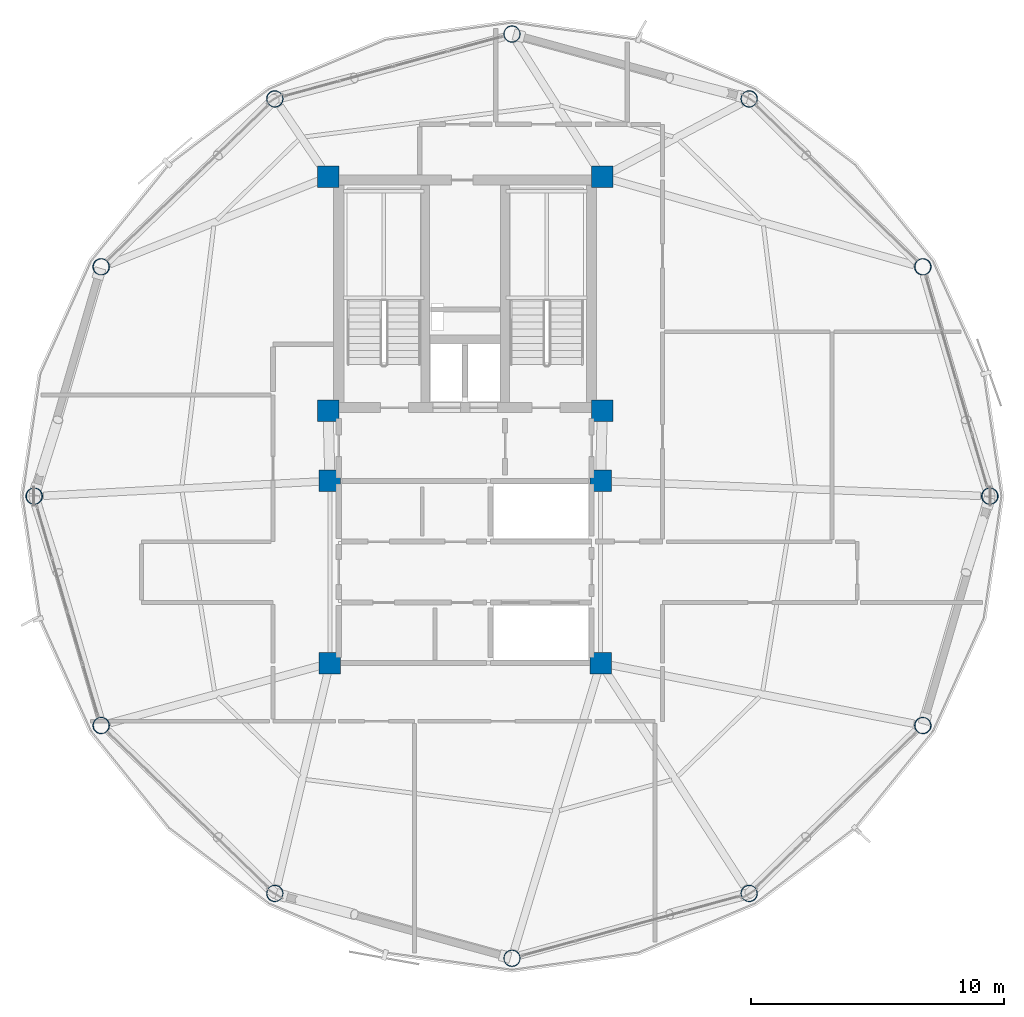
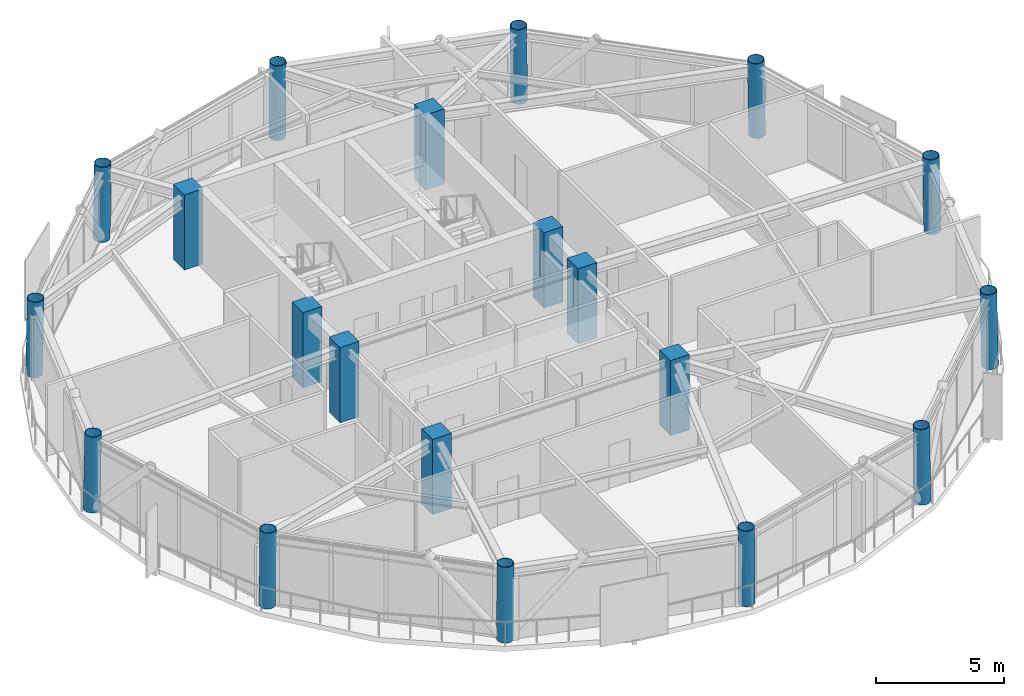
# One storey, part 1 of 28: 20 columns.
"""IFC4 building model written with IfcOpenShell, lengths in metres."""

from ifc_helpers import new_model, si_unit, direction, frame, origin, origin_2d, place, context, subcontext, project, spatial, rectangle, hollow_circle, extrude, material, material_profile, profile_set, type_object, element, save


model = new_model("IFC4")

# Units and contexts
model_context = context("Model", 3, precision=1e-05, world=origin(), true_north=direction((0.0, 1.0)))
body_context = subcontext(model_context, "Body", "Model", "MODEL_VIEW")
ifc_project = project(units=[si_unit("LENGTHUNIT", "METRE"), si_unit("AREAUNIT", "SQUARE_METRE"), si_unit("VOLUMEUNIT", "CUBIC_METRE"), si_unit("PLANEANGLEUNIT", "RADIAN"), si_unit("MASSUNIT", "GRAM", prefix="KILO")], contexts=[model_context])

# Site, building, storey
site_placement = place(None, origin())
site = spatial("IfcSite", under=ifc_project, at=site_placement, CompositionType="ELEMENT")
building_placement = place(site_placement, origin())
building = spatial("IfcBuilding", under=site, at=building_placement, Name="Varnakorn Sky Granary", CompositionType="ELEMENT")
storey_placement = place(building_placement, frame((0.0, 0.0, 225.60009765625)))
storey = spatial("IfcBuildingStorey", under=building, at=storey_placement, Name="L57", CompositionType="ELEMENT", Elevation=225.60009765625)

# Columns
ifc_material_1 = material(Name="Steel S460M", Category="steel")
ifc_material_profile_1 = material_profile(ifc_material_1, hollow_circle(Radius=0.330078125, WallThickness=0.02490234375, at=origin_2d()), Name="CHS 660x25")
ifc_profile_set_1 = profile_set([ifc_material_profile_1], Name="Steel S460M")
column_type_1 = type_object("IfcColumnType", Name="COL-DC-Z4", PredefinedType="COLUMN", material=ifc_profile_set_1)
column_1_placement = place(storey_placement, frame((23.751953125, 0.0, 0.0), z_axis=(-0.018981760075, 0.0, 0.999819830162), x_axis=(0.0, -1.0, 0.0)))
element("IfcColumn", 1, at=column_1_placement, inside=storey, type_object=column_type_1, Name="Drum Perimeter Column DC01 L57", PredefinedType="COLUMN", context=body_context, shape_type="SweptSolid", body=[
    extrude(hollow_circle(Radius=0.330078125, WallThickness=0.02490234375, at=origin_2d()), origin(), (0.0, 0.0, 1.0), 3.57568359375),
])
column_2_placement = place(storey_placement, frame((21.102783203125, 9.070556640625, 0.0), z_axis=(-0.016524222766, -0.004779733858, 0.999852041157), x_axis=(0.277865302681, -0.960620046411, 0.0)))
element("IfcColumn", 2, at=column_2_placement, inside=storey, type_object=column_type_1, Name="Drum Perimeter Column DC02 L57", PredefinedType="COLUMN", context=body_context, shape_type="SweptSolid", body=[
    extrude(hollow_circle(Radius=0.330078125, WallThickness=0.02490234375, at=origin_2d()), origin(), (0.0, 0.0, 1.0), 3.575439453125),
])
for number, where, z_axis, x_axis, name in (
    (3, (14.2333984375, 15.710693359375, 0.0), (-0.00949183863, -0.008262679671, 0.999920813427), (0.656581650754, -0.754254954172, 0.0), "Drum Perimeter Column DC03 L57"),
    (4, (4.85009765625, 18.27587890625, 0.0), (0.0, -0.00949216266, 0.999954948409), (1.0, 0.0, 0.0), "Drum Perimeter Column DC04 L57"),
    (5, (-4.533447265625, 15.710693359375, 0.0), (0.00949183863, -0.008262679671, 0.999920813427), (0.656581650754, 0.754254954172, 0.0), "Drum Perimeter Column DC05 L57"),
):
    element("IfcColumn", number, at=place(storey_placement, frame(where, z_axis=z_axis, x_axis=x_axis)), inside=storey, type_object=column_type_1, Name=name, PredefinedType="COLUMN", context=body_context, shape_type="SweptSolid", body=[
        extrude(hollow_circle(Radius=0.330078125, WallThickness=0.02490234375, at=origin_2d()), origin(), (0.0, 0.0, 1.0), 3.5751953125),
    ])
column_3_placement = place(storey_placement, frame((-11.402587890625, 9.070556640625, 0.0), z_axis=(0.016455959383, -0.00477973924, 0.999853166967), x_axis=(0.278928739366, 0.960311802674, 0.0)))
element("IfcColumn", 6, at=column_3_placement, inside=storey, type_object=column_type_1, Name="Drum Perimeter Column DC06 L57", PredefinedType="COLUMN", context=body_context, shape_type="SweptSolid", body=[
    extrude(hollow_circle(Radius=0.330078125, WallThickness=0.02490234375, at=origin_2d()), origin(), (0.0, 0.0, 1.0), 3.575439453125),
])
column_4_placement = place(storey_placement, frame((-14.052001953125, 0.0, 0.0), z_axis=(0.019050015053, 0.0, 0.999818531998), x_axis=(0.0, 1.0, 0.0)))
element("IfcColumn", 7, at=column_4_placement, inside=storey, type_object=column_type_1, Name="Drum Perimeter Column DC07 L57", PredefinedType="COLUMN", context=body_context, shape_type="SweptSolid", body=[
    extrude(hollow_circle(Radius=0.330078125, WallThickness=0.02490234375, at=origin_2d()), origin(), (0.0, 0.0, 1.0), 3.57568359375),
])
column_5_placement = place(storey_placement, frame((-11.402587890625, -9.070556640625, 0.0), z_axis=(0.016455959383, 0.00477973924, 0.999853166967), x_axis=(-0.278928739366, 0.960311802674, 0.0)))
element("IfcColumn", 8, at=column_5_placement, inside=storey, type_object=column_type_1, Name="Drum Perimeter Column DC08 L57", PredefinedType="COLUMN", context=body_context, shape_type="SweptSolid", body=[
    extrude(hollow_circle(Radius=0.330078125, WallThickness=0.02490234375, at=origin_2d()), origin(), (0.0, 0.0, 1.0), 3.575439453125),
])
for number, where, z_axis, x_axis, name in (
    (9, (-4.533447265625, -15.710693359375, 0.0), (0.00949183863, 0.008262679671, 0.999920813427), (-0.656581650754, 0.754254954172, 0.0), "Drum Perimeter Column DC09 L57"),
    (10, (4.85009765625, -18.27587890625, 0.0), (0.0, 0.00949216266, 0.999954948409), (-1.0, 0.0, 0.0), "Drum Perimeter Column DC10 L57"),
    (11, (14.2333984375, -15.710693359375, 0.0), (-0.00949183863, 0.008262679671, 0.999920813427), (-0.656581650754, -0.754254954172, 0.0), "Drum Perimeter Column DC11 L57"),
):
    element("IfcColumn", number, at=place(storey_placement, frame(where, z_axis=z_axis, x_axis=x_axis)), inside=storey, type_object=column_type_1, Name=name, PredefinedType="COLUMN", context=body_context, shape_type="SweptSolid", body=[
        extrude(hollow_circle(Radius=0.330078125, WallThickness=0.02490234375, at=origin_2d()), origin(), (0.0, 0.0, 1.0), 3.5751953125),
    ])
column_6_placement = place(storey_placement, frame((21.102783203125, -9.070556640625, 0.0), z_axis=(-0.016524222766, 0.004779733858, 0.999852041157), x_axis=(-0.277865302681, -0.960620046411, 0.0)))
element("IfcColumn", 12, at=column_6_placement, inside=storey, type_object=column_type_1, Name="Drum Perimeter Column DC12 L57", PredefinedType="COLUMN", context=body_context, shape_type="SweptSolid", body=[
    extrude(hollow_circle(Radius=0.330078125, WallThickness=0.02490234375, at=origin_2d()), origin(), (0.0, 0.0, 1.0), 3.575439453125),
])
ifc_material_2 = material(Name="Concrete C50/60", Category="concrete")
ifc_material_profile_2 = material_profile(ifc_material_2, rectangle(XDim=0.85009765625, YDim=0.85009765625, at=origin_2d()), Name="RC 850x850")
ifc_profile_set_2 = profile_set([ifc_material_profile_2], Name="Concrete C50/60")
column_type_2 = type_object("IfcColumnType", Name="COL-MC-Z4", PredefinedType="COLUMN", material=ifc_profile_set_2)
for number, where, z_axis, x_axis, name in (
    (13, (-2.419921875, 12.6201171875, 0.0), (0.0, 0.0, 1.0), (1.0, 0.0, 0.0), "Backbone Mega-Column MC1 L57"),
    (14, (8.419921875, 12.6201171875, 0.0), (0.0, 0.0, 1.0), (1.0, 0.0, 0.0), "Backbone Mega-Column MC2 L57"),
    (15, (-2.419921875, 3.3798828125, 0.0), (0.0, 0.0, 1.0), (1.0, 0.0, 0.0), "Backbone Mega-Column MC3 L57"),
    (16, (8.419921875, 3.3798828125, 0.0), (0.0, 0.0, 1.0), (1.0, 0.0, 0.0), "Backbone Mega-Column MC4 L57"),
    (17, (-2.35009765625, 0.60009765625, 0.0), (0.0, 0.0, 1.0), (1.0, 0.0, 0.0), "Backbone Mega-Column MC5 L57"),
    (18, (8.35009765625, 0.60009765625, 0.0), (0.0, 0.0, 1.0), (1.0, 0.0, 0.0), "Backbone Mega-Column MC6 L57"),
    (19, (-2.35009765625, -6.60009765625, 0.0), (0.0, 0.0, 1.0), (1.0, 0.0, 0.0), "Backbone Mega-Column MC7 L57"),
    (20, (8.35009765625, -6.60009765625, 0.0), (0.0, 0.0, 1.0), (1.0, 0.0, 0.0), "Backbone Mega-Column MC8 L57"),
):
    element("IfcColumn", number, at=place(storey_placement, frame(where, z_axis=z_axis, x_axis=x_axis)), inside=storey, type_object=column_type_2, Name=name, PredefinedType="COLUMN", context=body_context, shape_type="SweptSolid", body=[
        extrude(rectangle(XDim=0.85009765625, YDim=0.85009765625, at=origin_2d()), origin(), (0.0, 0.0, 1.0), 3.574951171875),
    ])

save(model, "model.ifc")
